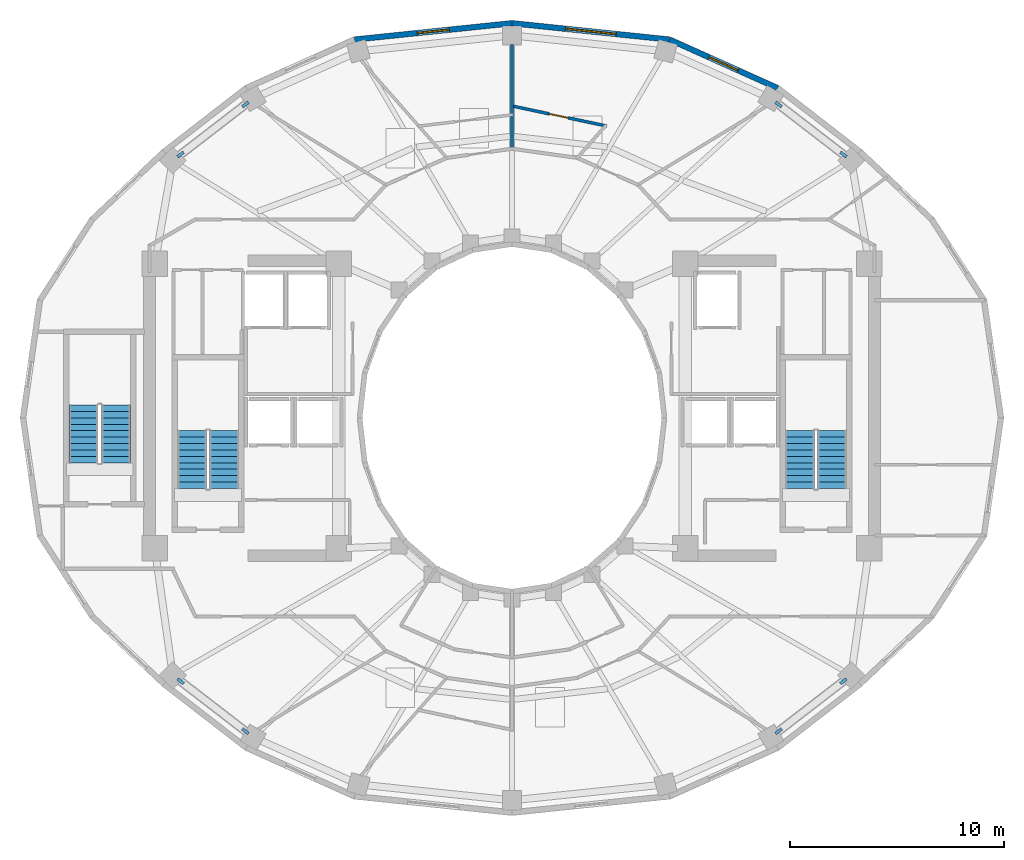
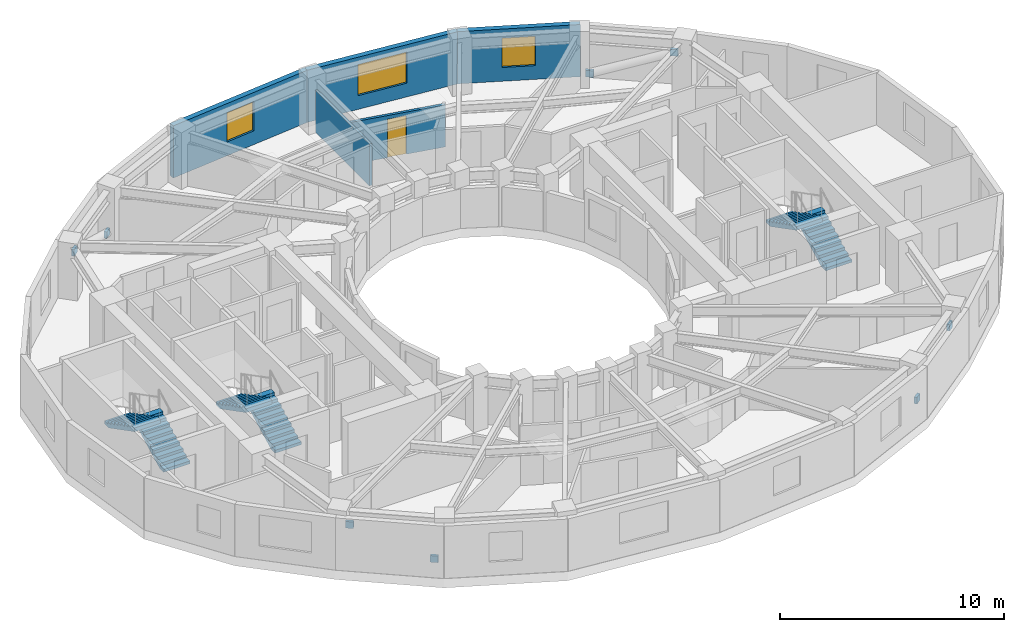
# One storey, part 7 of 9: 8 discrete accessories, 6 stair flights, 5 walls, 3 windows, 1 door, 4 openings, 3 elements without a shape of their own.
"""IFC4 building model written with IfcOpenShell, lengths in metres."""

from ifc_helpers import new_model, si_unit, direction, frame, frame_2d, origin, origin_2d, place, context, subcontext, project, spatial, polyline, rectangle, outline, extrude, material, layer, layer_set, type_object, element, fill, aggregate, save


model = new_model("IFC4")

# Units and contexts
model_context = context("Model", 3, precision=1e-05, world=origin(), true_north=direction((0.0, 1.0)))
body_context = subcontext(model_context, "Body", "Model", "MODEL_VIEW")
ifc_project = project(units=[si_unit("LENGTHUNIT", "METRE"), si_unit("AREAUNIT", "SQUARE_METRE"), si_unit("VOLUMEUNIT", "CUBIC_METRE"), si_unit("PLANEANGLEUNIT", "RADIAN"), si_unit("MASSUNIT", "GRAM", prefix="KILO")], contexts=[model_context])

# Site, building, storey
site_placement = place(None, origin())
site = spatial("IfcSite", under=ifc_project, at=site_placement, CompositionType="ELEMENT")
building_placement = place(site_placement, origin())
building = spatial("IfcBuilding", under=site, at=building_placement, Name="Solvane Sanctuary Tower", CompositionType="ELEMENT")
storey_placement = place(building_placement, frame((0.0, 0.0, 180.800048828125)))
storey = spatial("IfcBuildingStorey", under=building, at=storey_placement, Name="L55", CompositionType="ELEMENT", Elevation=180.800048828125)

# Wall, opening, window
ifc_material_1 = material(Name="Precast concrete C40/50", Category="concrete")
ifc_layer_1 = layer(ifc_material_1, 0.260009765625, Name="Precast concrete C40/50")
ifc_layer_set_1 = layer_set([ifc_layer_1], Name="Precast concrete C40/50")
wall_type_1 = type_object("IfcWallType", Name="Wall W-EXT-250", PredefinedType="STANDARD", material=ifc_layer_set_1)
wall_1_placement = place(storey_placement, frame((44.4130859375, 38.41943359375, 0.0), z_axis=(0.0, 0.0, 1.0), x_axis=(-0.912353637112, 0.409403029847, 0.0)))
wall_1 = element("IfcWall", 1, at=wall_1_placement, inside=storey, type_object=wall_type_1, Name="L55 Ceramic-Printed Facade Wall 04", PredefinedType="STANDARD", context=body_context, shape_type="SweptSolid", body=[
    extrude(rectangle(XDim=5.53271484375, YDim=0.260009765625, at=frame_2d((2.766357421875, 0.0))), origin(), (0.0, 0.0, 1.0), 2.849853515625),
])
opening_1_placement = place(wall_1_placement, frame((2.016357421875, 0.0, 0.75)))
opening_1 = element("IfcOpeningElement", 2, at=opening_1_placement, cuts=wall_1, Name="Opening WN-OPER-1500", PredefinedType="OPENING", context=body_context, shape_type="SweptSolid", body=[
    extrude(rectangle(XDim=1.5, YDim=1.60009765625, at=frame_2d((0.75, 0.800048828125))), frame((0.0, 0.139892578125, 0.0), z_axis=(0.0, -1.0, 0.0), x_axis=(1.0, 0.0, 0.0)), (0.0, 0.0, 1.0), 0.280029296875),
])
ifc_material_2 = material(Name="Dark Ceramic-Fritted Low-E Glass", Category="glass")
window_type_1 = type_object("IfcWindowType", Name="Window WN-OPER-1500", PartitioningType="SINGLE_PANEL", PredefinedType="WINDOW", material=ifc_material_2)
window_1_placement = place(opening_1_placement, origin())
window_1 = element("IfcWindow", 3, at=window_1_placement, inside=storey, type_object=window_type_1, Name="L55 Operable Facade Window 04", OverallHeight=1.60009765625, OverallWidth=1.5, PartitioningType="SINGLE_PANEL", PredefinedType="WINDOW", context=body_context, shape_type="SweptSolid", body=[
    extrude(rectangle(XDim=1.5, YDim=1.60009765625, at=frame_2d((0.75, 0.800048828125))), frame((0.0, 0.030029296875, 0.0), z_axis=(0.0, -1.0, 0.0), x_axis=(1.0, 0.0, 0.0)), (0.0, 0.0, 1.0), 0.06005859375),
])
fill(opening_1, window_1)

wall_2_placement = place(storey_placement, frame((39.365234375, 40.6845703125, 0.0), z_axis=(0.0, 0.0, 1.0), x_axis=(-0.994664178965, 0.10316574569, 0.0)))
wall_2 = element("IfcWall", 4, at=wall_2_placement, inside=storey, type_object=wall_type_1, Name="L55 Ceramic-Printed Facade Wall 05", PredefinedType="STANDARD", context=body_context, shape_type="SweptSolid", body=[
    extrude(rectangle(XDim=7.40478515625, YDim=0.260009765625, at=frame_2d((3.702392578125, 0.0))), origin(), (0.0, 0.0, 1.0), 2.849853515625),
])
opening_2_placement = place(wall_2_placement, frame((2.50244140625, 0.0, 0.75)))
opening_2 = element("IfcOpeningElement", 5, at=opening_2_placement, cuts=wall_2, Name="Opening WN-RIB-2400", PredefinedType="OPENING", context=body_context, shape_type="SweptSolid", body=[
    extrude(rectangle(XDim=2.39990234375, YDim=1.699951171875, at=frame_2d((1.199951171875, 0.85009765625))), frame((0.0, 0.139892578125, 0.0), z_axis=(0.0, -1.0, 0.0), x_axis=(1.0, 0.0, 0.0)), (0.0, 0.0, 1.0), 0.280029296875),
])
window_type_2 = type_object("IfcWindowType", Name="Window WN-RIB-2400", PartitioningType="SINGLE_PANEL", PredefinedType="WINDOW", material=ifc_material_2)
window_2_placement = place(opening_2_placement, origin())
window_2 = element("IfcWindow", 6, at=window_2_placement, inside=storey, type_object=window_type_2, Name="L55 Operable Facade Window 05", OverallHeight=1.699951171875, OverallWidth=2.39990234375, PartitioningType="SINGLE_PANEL", PredefinedType="WINDOW", context=body_context, shape_type="SweptSolid", body=[
    extrude(rectangle(XDim=2.39990234375, YDim=1.699951171875, at=frame_2d((1.199951171875, 0.85009765625))), frame((0.0, 0.030029296875, 0.0), z_axis=(0.0, -1.0, 0.0), x_axis=(1.0, 0.0, 0.0)), (0.0, 0.0, 1.0), 0.06005859375),
])
fill(opening_2, window_2)

wall_3_placement = place(storey_placement, frame((32.0, 41.448486328125, 0.0), z_axis=(0.0, 0.0, 1.0), x_axis=(-0.994664178965, -0.10316574569, 0.0)))
wall_3 = element("IfcWall", 7, at=wall_3_placement, inside=storey, type_object=wall_type_1, Name="L55 Ceramic-Printed Facade Wall 06", PredefinedType="STANDARD", context=body_context, shape_type="SweptSolid", body=[
    extrude(rectangle(XDim=7.40478515625, YDim=0.260009765625, at=frame_2d((3.702392578125, 0.0))), origin(), (0.0, 0.0, 1.0), 2.849853515625),
])
opening_3_placement = place(wall_3_placement, frame((2.952392578125, 0.0, 0.75)))
opening_3 = element("IfcOpeningElement", 8, at=opening_3_placement, cuts=wall_3, Name="Opening WN-OPER-1500", PredefinedType="OPENING", context=body_context, shape_type="SweptSolid", body=[
    extrude(rectangle(XDim=1.5, YDim=1.60009765625, at=frame_2d((0.75, 0.800048828125))), frame((0.0, 0.139892578125, 0.0), z_axis=(0.0, -1.0, 0.0), x_axis=(1.0, 0.0, 0.0)), (0.0, 0.0, 1.0), 0.280029296875),
])
window_3_placement = place(opening_3_placement, origin())
window_3 = element("IfcWindow", 9, at=window_3_placement, inside=storey, type_object=window_type_1, Name="L55 Operable Facade Window 06", OverallHeight=1.60009765625, OverallWidth=1.5, PartitioningType="SINGLE_PANEL", PredefinedType="WINDOW", context=body_context, shape_type="SweptSolid", body=[
    extrude(rectangle(XDim=1.5, YDim=1.60009765625, at=frame_2d((0.75, 0.800048828125))), frame((0.0, 0.030029296875, 0.0), z_axis=(0.0, -1.0, 0.0), x_axis=(1.0, 0.0, 0.0)), (0.0, 0.0, 1.0), 0.06005859375),
])
fill(opening_3, window_3)

# Wall
ifc_material_3 = material(Name="Acoustic Gypsum Partition Board")
ifc_layer_2 = layer(ifc_material_3, 0.125, Name="Acoustic Gypsum Partition Board")
ifc_layer_set_2 = layer_set([ifc_layer_2], Name="Acoustic Gypsum Partition Board")
wall_type_2 = type_object("IfcWallType", Name="Wall W-PART-125", PredefinedType="PARTITIONING", material=ifc_layer_set_2)
wall_4_placement = place(storey_placement, frame((32.0, 35.636962890625, 0.0), z_axis=(0.0, 0.0, 1.0), x_axis=(0.0, 1.0, 0.0)))
element("IfcWall", 10, at=wall_4_placement, inside=storey, type_object=wall_type_2, Name="L55 Radial Compartment Wall 090", PredefinedType="PARTITIONING", context=body_context, shape_type="SweptSolid", body=[
    extrude(rectangle(XDim=4.81298828125, YDim=0.125, at=frame_2d((2.406494140625, 0.0))), origin(), (0.0, 0.0, 1.0), 2.299072265625),
])

# Wall, opening, door
ifc_layer_3 = layer(ifc_material_3, 0.139892578125, Name="Acoustic Gypsum Partition Board")
ifc_layer_set_3 = layer_set([ifc_layer_3], Name="Acoustic Gypsum Partition Board")
wall_type_3 = type_object("IfcWallType", Name="Wall W-WET-140", PredefinedType="PLUMBINGWALL", material=ifc_layer_set_3)
wall_5_placement = place(storey_placement, frame((36.41943359375, 36.644287109375, 0.0), z_axis=(0.0, 0.0, 1.0), x_axis=(-0.978225905005, 0.20754295646, 0.0)))
wall_5 = element("IfcWall", 11, at=wall_5_placement, inside=storey, type_object=wall_type_3, Name="L55 En-suite Bedroom Wall N1", PredefinedType="PLUMBINGWALL", context=body_context, shape_type="SweptSolid", body=[
    extrude(rectangle(XDim=4.567626953125, YDim=0.139892578125, at=frame_2d((2.28369140625, 0.0))), origin(), (0.0, 0.0, 1.0), 2.299072265625),
])
opening_4_placement = place(wall_5_placement, frame((1.833984375, 0.0, 0.0)))
opening_4 = element("IfcOpeningElement", 12, at=opening_4_placement, cuts=wall_5, Name="Opening D-L55-22", PredefinedType="OPENING", context=body_context, shape_type="SweptSolid", body=[
    extrude(rectangle(XDim=0.89990234375, YDim=2.10009765625, at=frame_2d((0.449951171875, 1.050048828125))), frame((0.0, 0.079833984375, 0.0), z_axis=(0.0, -1.0, 0.0), x_axis=(1.0, 0.0, 0.0)), (0.0, 0.0, 1.0), 0.159912109375),
])
ifc_material_4 = material(Name="Engineered Tropical Hardwood", Category="wood")
door_type = type_object("IfcDoorType", Name="Door D-WET-900", OperationType="NOTDEFINED", PredefinedType="DOOR", material=ifc_material_4)
door_placement = place(opening_4_placement, origin())
door = element("IfcDoor", 13, at=door_placement, inside=storey, type_object=door_type, Name="L55 En-suite Bathroom Door N1", OperationType="SINGLE_SWING_RIGHT", OverallHeight=2.10009765625, OverallWidth=0.89990234375, PredefinedType="DOOR", context=body_context, shape_type="SweptSolid", body=[
    extrude(rectangle(XDim=0.89990234375, YDim=2.10009765625, at=frame_2d((0.449951171875, 1.050048828125))), frame((0.0, 0.02490234375, 0.0), z_axis=(0.0, -1.0, 0.0), x_axis=(1.0, 0.0, 0.0)), (0.0, 0.0, 1.0), 0.050048828125),
])
fill(opening_4, door)

# Stair, stair flights
ifc_material_5 = material(Name="Concrete C45/55", Category="concrete")
stair_type = type_object("IfcStairType", Name="Stair ST-TOW", PredefinedType="HALF_TURN_STAIR", material=ifc_material_5)
stair_1_placement = place(storey_placement, origin())
stair_1 = element("IfcStair", 14, at=stair_1_placement, inside=storey, type_object=stair_type, Name="L55 Exit Stair ST-1 West Core", PredefinedType="HALF_TURN_STAIR")
stair_flight_type = type_object("IfcStairFlightType", Name="StairFlight SF-TOW", PredefinedType="STRAIGHT", material=ifc_material_5)
stair_flight_1_placement = place(storey_placement, frame((18.544921875, 19.699951171875, 0.0), z_axis=(0.0, 0.0, 1.0), x_axis=(0.0, 1.0, 0.0)))
stair_flight_1 = element("IfcStairFlight", 15, at=stair_flight_1_placement, type_object=stair_flight_type, Name="ST-1 flight 1", NumberOfRisers=10, NumberOfTreads=9, PredefinedType="STRAIGHT", RiserHeight=0.155, TreadLength=0.3, context=body_context, shape_type="SweptSolid", body=[
    extrude(outline(polyline([(0.0, 0.0), (0.0, 0.155029296875), (0.300048828125, 0.155029296875), (0.300048828125, 0.31005859375), (0.60009765625, 0.31005859375), (0.60009765625, 0.465087890625), (0.89990234375, 0.465087890625), (0.89990234375, 0.6201171875), (1.199951171875, 0.6201171875), (1.199951171875, 0.77490234375), (1.5, 0.77490234375), (1.5, 0.929931640625), (1.800048828125, 0.929931640625), (1.800048828125, 1.0849609375), (2.10009765625, 1.0849609375), (2.10009765625, 1.239990234375), (2.39990234375, 1.239990234375), (2.39990234375, 1.39501953125), (2.699951171875, 1.39501953125), (2.699951171875, 1.550048828125), (2.699951171875, 1.1923828125), (0.39208984375, 0.0), (0.0, 0.0)])), frame((0.0, 0.675048828125, 0.0), z_axis=(0.0, -1.0, 0.0), x_axis=(1.0, 0.0, 0.0)), (0.0, 0.0, 1.0), 1.35009765625),
])
stair_flight_2_placement = place(storey_placement, frame((17.034912109375, 22.39990234375, 1.550048828125), z_axis=(0.0, 0.0, 1.0), x_axis=(0.0, -1.0, 0.0)))
stair_flight_2 = element("IfcStairFlight", 16, at=stair_flight_2_placement, type_object=stair_flight_type, Name="ST-1 flight 2", NumberOfRisers=10, NumberOfTreads=9, PredefinedType="STRAIGHT", RiserHeight=0.155, TreadLength=0.3, context=body_context, shape_type="SweptSolid", body=[
    extrude(outline(polyline([(0.0, 0.0), (0.0, 0.155029296875), (0.300048828125, 0.155029296875), (0.300048828125, 0.31005859375), (0.60009765625, 0.31005859375), (0.60009765625, 0.465087890625), (0.89990234375, 0.465087890625), (0.89990234375, 0.6201171875), (1.199951171875, 0.6201171875), (1.199951171875, 0.77490234375), (1.5, 0.77490234375), (1.5, 0.929931640625), (1.800048828125, 0.929931640625), (1.800048828125, 1.0849609375), (2.10009765625, 1.0849609375), (2.10009765625, 1.239990234375), (2.39990234375, 1.239990234375), (2.39990234375, 1.39501953125), (2.699951171875, 1.39501953125), (2.699951171875, 1.550048828125), (2.699951171875, 1.1923828125), (0.39208984375, 0.0), (0.0, 0.0)])), frame((0.0, 0.675048828125, 0.0), z_axis=(0.0, -1.0, 0.0), x_axis=(1.0, 0.0, 0.0)), (0.0, 0.0, 1.0), 1.35009765625),
])
aggregate(stair_1, [stair_flight_1, stair_flight_2])

stair_2_placement = place(storey_placement, origin())
stair_2 = element("IfcStair", 17, at=stair_2_placement, inside=storey, type_object=stair_type, Name="L55 Exit Stair ST-2 East Core", PredefinedType="HALF_TURN_STAIR")
stair_flight_3_placement = place(storey_placement, frame((46.965087890625, 19.699951171875, 0.0), z_axis=(0.0, 0.0, 1.0), x_axis=(0.0, 1.0, 0.0)))
stair_flight_3 = element("IfcStairFlight", 18, at=stair_flight_3_placement, type_object=stair_flight_type, Name="ST-2 flight 1", NumberOfRisers=10, NumberOfTreads=9, PredefinedType="STRAIGHT", RiserHeight=0.155, TreadLength=0.3, context=body_context, shape_type="SweptSolid", body=[
    extrude(outline(polyline([(0.0, 0.0), (0.0, 0.155029296875), (0.300048828125, 0.155029296875), (0.300048828125, 0.31005859375), (0.60009765625, 0.31005859375), (0.60009765625, 0.465087890625), (0.89990234375, 0.465087890625), (0.89990234375, 0.6201171875), (1.199951171875, 0.6201171875), (1.199951171875, 0.77490234375), (1.5, 0.77490234375), (1.5, 0.929931640625), (1.800048828125, 0.929931640625), (1.800048828125, 1.0849609375), (2.10009765625, 1.0849609375), (2.10009765625, 1.239990234375), (2.39990234375, 1.239990234375), (2.39990234375, 1.39501953125), (2.699951171875, 1.39501953125), (2.699951171875, 1.550048828125), (2.699951171875, 1.1923828125), (0.39208984375, 0.0), (0.0, 0.0)])), frame((0.0, 0.675048828125, 0.0), z_axis=(0.0, -1.0, 0.0), x_axis=(1.0, 0.0, 0.0)), (0.0, 0.0, 1.0), 1.35009765625),
])
stair_flight_4_placement = place(storey_placement, frame((45.455078125, 22.39990234375, 1.550048828125), z_axis=(0.0, 0.0, 1.0), x_axis=(0.0, -1.0, 0.0)))
stair_flight_4 = element("IfcStairFlight", 19, at=stair_flight_4_placement, type_object=stair_flight_type, Name="ST-2 flight 2", NumberOfRisers=10, NumberOfTreads=9, PredefinedType="STRAIGHT", RiserHeight=0.155, TreadLength=0.3, context=body_context, shape_type="SweptSolid", body=[
    extrude(outline(polyline([(0.0, 0.0), (0.0, 0.155029296875), (0.300048828125, 0.155029296875), (0.300048828125, 0.31005859375), (0.60009765625, 0.31005859375), (0.60009765625, 0.465087890625), (0.89990234375, 0.465087890625), (0.89990234375, 0.6201171875), (1.199951171875, 0.6201171875), (1.199951171875, 0.77490234375), (1.5, 0.77490234375), (1.5, 0.929931640625), (1.800048828125, 0.929931640625), (1.800048828125, 1.0849609375), (2.10009765625, 1.0849609375), (2.10009765625, 1.239990234375), (2.39990234375, 1.239990234375), (2.39990234375, 1.39501953125), (2.699951171875, 1.39501953125), (2.699951171875, 1.550048828125), (2.699951171875, 1.1923828125), (0.39208984375, 0.0), (0.0, 0.0)])), frame((0.0, 0.675048828125, 0.0), z_axis=(0.0, -1.0, 0.0), x_axis=(1.0, 0.0, 0.0)), (0.0, 0.0, 1.0), 1.35009765625),
])
aggregate(stair_2, [stair_flight_3, stair_flight_4])

stair_3_placement = place(storey_placement, origin())
stair_3 = element("IfcStair", 20, at=stair_3_placement, inside=storey, type_object=stair_type, Name="L55 Exit Stair ST-3 Pilgrim Tower Stair", PredefinedType="HALF_TURN_STAIR")
stair_flight_5_placement = place(storey_placement, frame((13.485107421875, 20.89990234375, 0.0), z_axis=(0.0, 0.0, 1.0), x_axis=(0.0, 1.0, 0.0)))
stair_flight_5 = element("IfcStairFlight", 21, at=stair_flight_5_placement, type_object=stair_flight_type, Name="ST-3 flight 1", NumberOfRisers=10, NumberOfTreads=9, PredefinedType="STRAIGHT", RiserHeight=0.155, TreadLength=0.3, context=body_context, shape_type="SweptSolid", body=[
    extrude(outline(polyline([(0.0, 0.0), (0.0, 0.155029296875), (0.300048828125, 0.155029296875), (0.300048828125, 0.31005859375), (0.60009765625, 0.31005859375), (0.60009765625, 0.465087890625), (0.89990234375, 0.465087890625), (0.89990234375, 0.6201171875), (1.199951171875, 0.6201171875), (1.199951171875, 0.77490234375), (1.5, 0.77490234375), (1.5, 0.929931640625), (1.800048828125, 0.929931640625), (1.800048828125, 1.0849609375), (2.10009765625, 1.0849609375), (2.10009765625, 1.239990234375), (2.39990234375, 1.239990234375), (2.39990234375, 1.39501953125), (2.699951171875, 1.39501953125), (2.699951171875, 1.550048828125), (2.699951171875, 1.1923828125), (0.39208984375, 0.0), (0.0, 0.0)])), frame((0.0, 0.675048828125, 0.0), z_axis=(0.0, -1.0, 0.0), x_axis=(1.0, 0.0, 0.0)), (0.0, 0.0, 1.0), 1.35009765625),
])
stair_flight_6_placement = place(storey_placement, frame((11.97509765625, 23.60009765625, 1.550048828125), z_axis=(0.0, 0.0, 1.0), x_axis=(0.0, -1.0, 0.0)))
stair_flight_6 = element("IfcStairFlight", 22, at=stair_flight_6_placement, type_object=stair_flight_type, Name="ST-3 flight 2", NumberOfRisers=10, NumberOfTreads=9, PredefinedType="STRAIGHT", RiserHeight=0.155, TreadLength=0.3, context=body_context, shape_type="SweptSolid", body=[
    extrude(outline(polyline([(0.0, 0.0), (0.0, 0.155029296875), (0.300048828125, 0.155029296875), (0.300048828125, 0.31005859375), (0.60009765625, 0.31005859375), (0.60009765625, 0.465087890625), (0.89990234375, 0.465087890625), (0.89990234375, 0.6201171875), (1.199951171875, 0.6201171875), (1.199951171875, 0.77490234375), (1.5, 0.77490234375), (1.5, 0.929931640625), (1.800048828125, 0.929931640625), (1.800048828125, 1.0849609375), (2.10009765625, 1.0849609375), (2.10009765625, 1.239990234375), (2.39990234375, 1.239990234375), (2.39990234375, 1.39501953125), (2.699951171875, 1.39501953125), (2.699951171875, 1.550048828125), (2.699951171875, 1.1923828125), (0.39208984375, 0.0), (0.0, 0.0)])), frame((0.0, 0.675048828125, 0.0), z_axis=(0.0, -1.0, 0.0), x_axis=(1.0, 0.0, 0.0)), (0.0, 0.0, 1.0), 1.35009765625),
])
aggregate(stair_3, [stair_flight_5, stair_flight_6])

# Discrete accessories
ifc_material_6 = material(Name="Steel ASTM A572 Grade 50", Category="steel")
ifc_layer_4 = layer(ifc_material_6, 0.360107421875, Name="Steel ASTM A572 Grade 50")
ifc_layer_set_4 = layer_set([ifc_layer_4], Name="Steel ASTM A572 Grade 50")
discrete_accessory_type = type_object("IfcDiscreteAccessoryType", Name="Accessory ACC-GUSSET-BRK", PredefinedType="BRACKET", material=ifc_layer_set_4)
for number, where, z_axis, x_axis, name in (
    (23, (44.46142578125, 37.64794921875, 0.380859375), (0.0, 0.0, 1.0), (0.79207661425, -0.610421687982, 0.0), "L55 Perimeter Braced-Tube Diagonal NE End Gusset Bracket A"),
    (24, (47.493408203125, 35.31103515625, 1.88916015625), (0.0, 0.0, 1.0), (0.79207661425, -0.610421687982, 0.0), "L55 Perimeter Braced-Tube Diagonal NE End Gusset Bracket B"),
    (25, (19.53857421875, 37.64794921875, 0.380859375), (0.0, 0.0, 1.0), (-0.79207661425, -0.610421687982, 0.0), "L55 Perimeter Braced-Tube Diagonal NW End Gusset Bracket A"),
    (26, (16.506591796875, 35.31103515625, 1.88916015625), (0.0, 0.0, 1.0), (-0.79207661425, -0.610421687982, 0.0), "L55 Perimeter Braced-Tube Diagonal NW End Gusset Bracket B"),
    (27, (19.53857421875, 8.35205078125, 0.380859375), (0.0, 0.0, 1.0), (-0.79207661425, 0.610421687982, 0.0), "L55 Perimeter Braced-Tube Diagonal SW End Gusset Bracket A"),
    (28, (16.506591796875, 10.68896484375, 1.88916015625), (0.0, 0.0, 1.0), (-0.79207661425, 0.610421687982, 0.0), "L55 Perimeter Braced-Tube Diagonal SW End Gusset Bracket B"),
    (29, (44.46142578125, 8.35205078125, 0.380859375), (0.0, 0.0, 1.0), (0.79207661425, 0.610421687982, 0.0), "L55 Perimeter Braced-Tube Diagonal SE End Gusset Bracket A"),
    (30, (47.493408203125, 10.68896484375, 1.88916015625), (0.0, 0.0, 1.0), (0.79207661425, 0.610421687982, 0.0), "L55 Perimeter Braced-Tube Diagonal SE End Gusset Bracket B"),
):
    element("IfcDiscreteAccessory", number, at=place(storey_placement, frame(where, z_axis=z_axis, x_axis=x_axis)), inside=storey, type_object=discrete_accessory_type, Name=name, PredefinedType="BRACKET", context=body_context, shape_type="SweptSolid", body=[
        extrude(rectangle(XDim=0.360107421875, YDim=0.139892578125, at=origin_2d()), origin(), (0.0, 0.0, 1.0), 0.360107421875),
    ])

save(model, "model.ifc")
